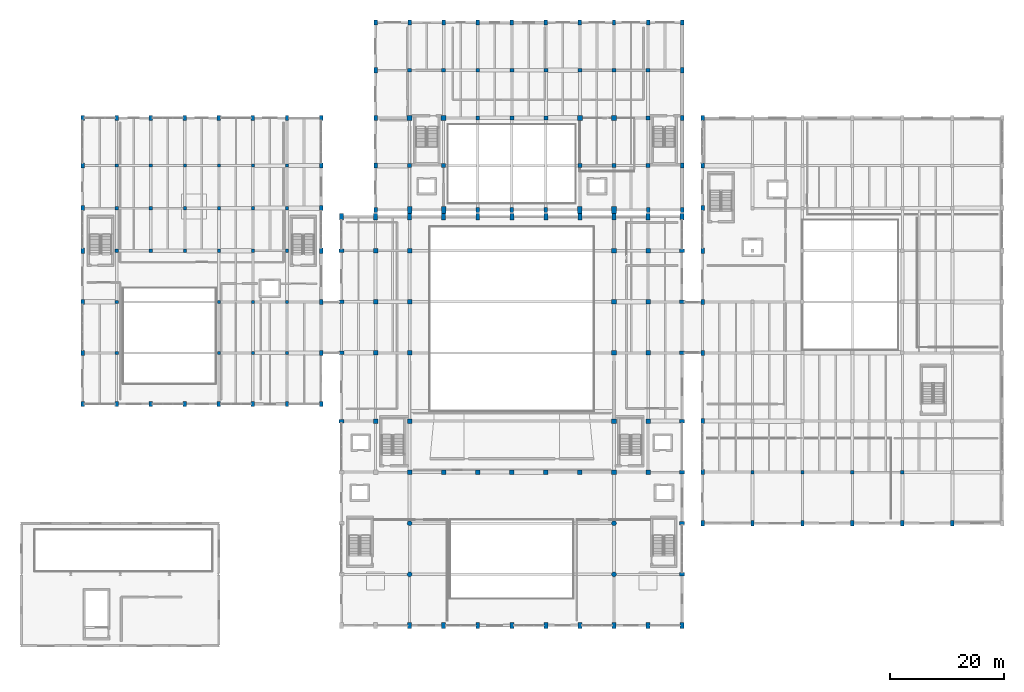
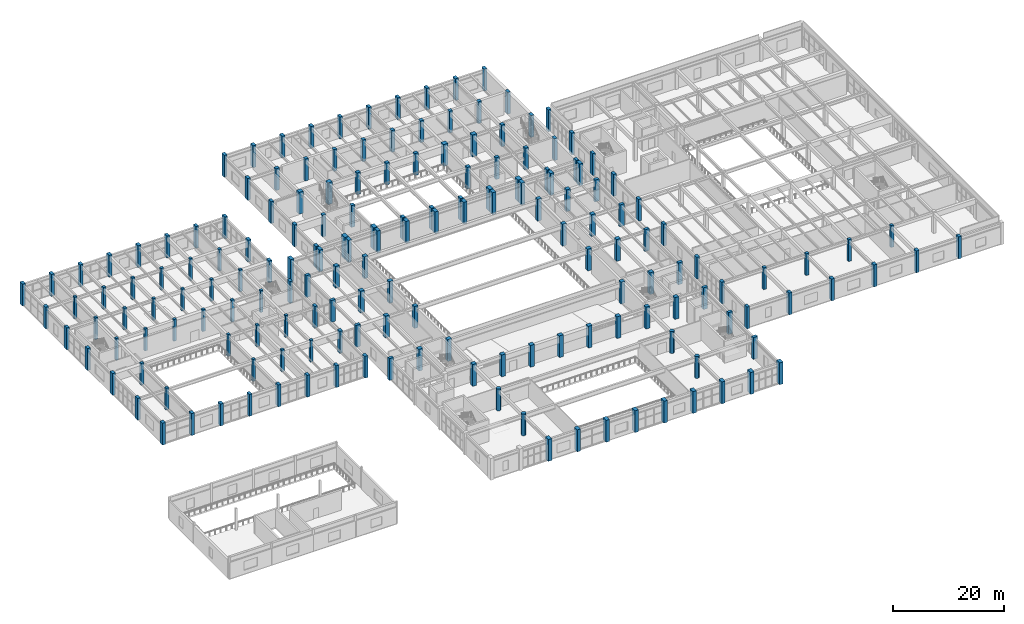
# One storey, part 3 of 96: 176 columns.
"""IFC4 building model written with IfcOpenShell, lengths in metres."""

from ifc_helpers import new_model, si_unit, direction, frame, origin, origin_2d, place, context, subcontext, project, spatial, rectangle, circle, extrude, material, material_profile, profile_set, type_object, element, save


model = new_model("IFC4")

# Units and contexts
model_context = context("Model", 3, precision=1e-05, world=origin(), true_north=direction((0.0, 1.0)))
body_context = subcontext(model_context, "Body", "Model", "MODEL_VIEW")
ifc_project = project(units=[si_unit("LENGTHUNIT", "METRE"), si_unit("AREAUNIT", "SQUARE_METRE"), si_unit("VOLUMEUNIT", "CUBIC_METRE"), si_unit("PLANEANGLEUNIT", "RADIAN"), si_unit("MASSUNIT", "GRAM", prefix="KILO")], contexts=[model_context])

# Site, building, storey
site_placement = place(None, origin())
site = spatial("IfcSite", under=ifc_project, at=site_placement, CompositionType="ELEMENT")
building_placement = place(site_placement, origin())
building = spatial("IfcBuilding", under=site, at=building_placement, Name="Vaelkrest Opera House", CompositionType="ELEMENT")
storey_placement = place(building_placement, frame((0.0, 0.0, 5.39990234375)))
storey = spatial("IfcBuildingStorey", under=building, at=storey_placement, Name="L01", CompositionType="ELEMENT", Elevation=5.39990234375)

# Columns
ifc_material = material(Name="Concrete C50/60", Category="concrete")
ifc_material_profile_1 = material_profile(ifc_material, rectangle(XDim=0.60009765625, YDim=0.60009765625, at=origin_2d()), Name="RC600X600")
ifc_profile_set_1 = profile_set([ifc_material_profile_1], Name="Concrete C50/60")
column_type_1 = type_object("IfcColumnType", Name="C02", PredefinedType="COLUMN", material=ifc_profile_set_1)
for number, where, z_axis, x_axis, name in (
    (1, (42.39990234375, -28.800048828125, 0.0), (0.0, 0.0, 1.0), (1.0, 0.0, 0.0), "Column COL-V4-L01-1252"),
    (2, (51.199951171875, -28.800048828125, 0.0), (0.0, 0.0, 1.0), (1.0, 0.0, 0.0), "Column COL-V4-L01-1261"),
    (3, (60.0, -28.800048828125, 0.0), (0.0, 0.0, 1.0), (1.0, 0.0, 0.0), "Column COL-V4-L01-1270"),
    (4, (68.800048828125, -28.800048828125, 0.0), (0.0, 0.0, 1.0), (1.0, 0.0, 0.0), "Column COL-V4-L01-1277"),
):
    element("IfcColumn", number, at=place(storey_placement, frame(where, z_axis=z_axis, x_axis=x_axis)), inside=storey, type_object=column_type_1, Name=name, PredefinedType="COLUMN", context=body_context, shape_type="SweptSolid", body=[
        extrude(rectangle(XDim=0.60009765625, YDim=0.60009765625, at=origin_2d()), origin(), (0.0, 0.0, 1.0), 4.800048828125),
    ])
ifc_material_profile_2 = material_profile(ifc_material, rectangle(XDim=0.699951171875, YDim=0.699951171875, at=origin_2d()), Name="RC700X700")
ifc_profile_set_2 = profile_set([ifc_material_profile_2], Name="Concrete C50/60")
column_type_2 = type_object("IfcColumnType", Name="C03", PredefinedType="COLUMN", material=ifc_profile_set_2)
for number, where, z_axis, x_axis, name in (
    (5, (-18.0, 25.199951171875, 0.0), (0.0, 0.0, 1.0), (1.0, 0.0, 0.0), "Column COL-V2-L01-0576"),
    (6, (-18.0, 42.0, 0.0), (0.0, 0.0, 1.0), (1.0, 0.0, 0.0), "Column COL-V2-L01-0578"),
    (7, (-12.0, 25.199951171875, 0.0), (0.0, 0.0, 1.0), (1.0, 0.0, 0.0), "Column COL-V2-L01-0581"),
    (8, (-12.0, 42.0, 0.0), (0.0, 0.0, 1.0), (1.0, 0.0, 0.0), "Column COL-V2-L01-0583"),
    (9, (-6.0, 33.60009765625, 0.0), (0.0, 0.0, 1.0), (1.0, 0.0, 0.0), "Column COL-V2-L01-0586"),
    (10, (-6.0, 42.0, 0.0), (0.0, 0.0, 1.0), (1.0, 0.0, 0.0), "Column COL-V2-L01-0587"),
    (11, (0.0, 33.60009765625, 0.0), (0.0, 0.0, 1.0), (1.0, 0.0, 0.0), "Column COL-V2-L01-0590"),
    (12, (0.0, 42.0, 0.0), (0.0, 0.0, 1.0), (1.0, 0.0, 0.0), "Column COL-V2-L01-0591"),
    (13, (6.0, 33.60009765625, 0.0), (0.0, 0.0, 1.0), (1.0, 0.0, 0.0), "Column COL-V2-L01-0594"),
    (14, (6.0, 42.0, 0.0), (0.0, 0.0, 1.0), (1.0, 0.0, 0.0), "Column COL-V2-L01-0595"),
    (15, (12.0, 25.199951171875, 0.0), (0.0, 0.0, 1.0), (1.0, 0.0, 0.0), "Column COL-V2-L01-0598"),
    (16, (12.0, 42.0, 0.0), (0.0, 0.0, 1.0), (1.0, 0.0, 0.0), "Column COL-V2-L01-0600"),
    (17, (18.0, 25.199951171875, 0.0), (0.0, 0.0, 1.0), (1.0, 0.0, 0.0), "Column COL-V2-L01-0603"),
    (18, (18.0, 42.0, 0.0), (0.0, 0.0, 1.0), (1.0, 0.0, 0.0), "Column COL-V2-L01-0605"),
    (19, (24.0, 25.199951171875, 0.0), (0.0, 0.0, 1.0), (1.0, 0.0, 0.0), "Column COL-V2-L01-0608"),
    (20, (24.0, 33.60009765625, 0.0), (0.0, 0.0, 1.0), (1.0, 0.0, 0.0), "Column COL-V2-L01-0609"),
    (21, (24.0, 42.0, 0.0), (0.0, 0.0, 1.0), (1.0, 0.0, 0.0), "Column COL-V2-L01-0610"),
):
    element("IfcColumn", number, at=place(storey_placement, frame(where, z_axis=z_axis, x_axis=x_axis)), inside=storey, type_object=column_type_2, Name=name, PredefinedType="COLUMN", context=body_context, shape_type="SweptSolid", body=[
        extrude(rectangle(XDim=0.699951171875, YDim=0.699951171875, at=origin_2d()), origin(), (0.0, 0.0, 1.0), 4.800048828125),
    ])
ifc_material_profile_3 = material_profile(ifc_material, rectangle(XDim=0.800048828125, YDim=0.800048828125, at=origin_2d()), Name="RC800X800")
ifc_profile_set_3 = profile_set([ifc_material_profile_3], Name="Concrete C50/60")
column_type_3 = type_object("IfcColumnType", Name="C04", PredefinedType="COLUMN", material=ifc_profile_set_3)
for number, where, z_axis, x_axis, name in (
    (22, (-24.0, -19.800048828125, 0.0), (0.0, 0.0, 1.0), (1.0, 0.0, 0.0), "Column COL-V1-L01-0150"),
    (23, (-24.0, -7.800048828125, 0.0), (0.0, 0.0, 1.0), (1.0, 0.0, 0.0), "Column COL-V1-L01-0151"),
    (24, (-24.0, 1.199951171875, 0.0), (0.0, 0.0, 1.0), (1.0, 0.0, 0.0), "Column COL-V1-L01-0152"),
    (25, (-24.0, 10.199951171875, 0.0), (0.0, 0.0, 1.0), (1.0, 0.0, 0.0), "Column COL-V1-L01-0153"),
    (26, (-18.0, -28.800048828125, 0.0), (0.0, 0.0, 1.0), (1.0, 0.0, 0.0), "Column COL-V1-L01-0158"),
    (27, (-18.0, -19.800048828125, 0.0), (0.0, 0.0, 1.0), (1.0, 0.0, 0.0), "Column COL-V1-L01-0159"),
    (28, (-18.0, -7.800048828125, 0.0), (0.0, 0.0, 1.0), (1.0, 0.0, 0.0), "Column COL-V1-L01-0160"),
    (29, (-18.0, 1.199951171875, 0.0), (0.0, 0.0, 1.0), (1.0, 0.0, 0.0), "Column COL-V1-L01-0161"),
    (30, (-18.0, 10.199951171875, 0.0), (0.0, 0.0, 1.0), (1.0, 0.0, 0.0), "Column COL-V1-L01-0162"),
    (31, (-12.0, -28.800048828125, 0.0), (0.0, 0.0, 1.0), (1.0, 0.0, 0.0), "Column COL-V1-L01-0165"),
    (32, (-6.0, -28.800048828125, 0.0), (0.0, 0.0, 1.0), (1.0, 0.0, 0.0), "Column COL-V1-L01-0168"),
    (33, (0.0, -28.800048828125, 0.0), (0.0, 0.0, 1.0), (1.0, 0.0, 0.0), "Column COL-V1-L01-0171"),
    (34, (6.0, -28.800048828125, 0.0), (0.0, 0.0, 1.0), (1.0, 0.0, 0.0), "Column COL-V1-L01-0174"),
    (35, (12.0, -28.800048828125, 0.0), (0.0, 0.0, 1.0), (1.0, 0.0, 0.0), "Column COL-V1-L01-0177"),
    (36, (18.0, -28.800048828125, 0.0), (0.0, 0.0, 1.0), (1.0, 0.0, 0.0), "Column COL-V1-L01-0182"),
    (37, (18.0, -19.800048828125, 0.0), (0.0, 0.0, 1.0), (1.0, 0.0, 0.0), "Column COL-V1-L01-0183"),
    (38, (18.0, -7.800048828125, 0.0), (0.0, 0.0, 1.0), (1.0, 0.0, 0.0), "Column COL-V1-L01-0184"),
    (39, (18.0, 1.199951171875, 0.0), (0.0, 0.0, 1.0), (1.0, 0.0, 0.0), "Column COL-V1-L01-0185"),
    (40, (18.0, 10.199951171875, 0.0), (0.0, 0.0, 1.0), (1.0, 0.0, 0.0), "Column COL-V1-L01-0186"),
    (41, (24.0, -28.800048828125, 0.0), (0.0, 0.0, 1.0), (1.0, 0.0, 0.0), "Column COL-V1-L01-0189"),
    (42, (24.0, -19.800048828125, 0.0), (0.0, 0.0, 1.0), (1.0, 0.0, 0.0), "Column COL-V1-L01-0190"),
    (43, (24.0, -7.800048828125, 0.0), (0.0, 0.0, 1.0), (1.0, 0.0, 0.0), "Column COL-V1-L01-0191"),
    (44, (24.0, 1.199951171875, 0.0), (0.0, 0.0, 1.0), (1.0, 0.0, 0.0), "Column COL-V1-L01-0192"),
    (45, (24.0, 10.199951171875, 0.0), (0.0, 0.0, 1.0), (1.0, 0.0, 0.0), "Column COL-V1-L01-0193"),
):
    element("IfcColumn", number, at=place(storey_placement, frame(where, z_axis=z_axis, x_axis=x_axis)), inside=storey, type_object=column_type_3, Name=name, PredefinedType="COLUMN", context=body_context, shape_type="SweptSolid", body=[
        extrude(rectangle(XDim=0.800048828125, YDim=0.800048828125, at=origin_2d()), origin(), (0.0, 0.0, 1.0), 4.800048828125),
    ])
ifc_material_profile_4 = material_profile(ifc_material, rectangle(XDim=0.89990234375, YDim=0.89990234375, at=origin_2d()), Name="RC900X900")
ifc_profile_set_4 = profile_set([ifc_material_profile_4], Name="Concrete C50/60")
column_type_4 = type_object("IfcColumnType", Name="C05", PredefinedType="COLUMN", material=ifc_profile_set_4)
for number, where, z_axis, x_axis, name in (
    (46, (-18.0, 33.60009765625, 0.0), (0.0, 0.0, 1.0), (1.0, 0.0, 0.0), "Column COL-V2-L01-0577"),
    (47, (-12.0, 33.60009765625, 0.0), (0.0, 0.0, 1.0), (1.0, 0.0, 0.0), "Column COL-V2-L01-0582"),
    (48, (12.0, 33.60009765625, 0.0), (0.0, 0.0, 1.0), (1.0, 0.0, 0.0), "Column COL-V2-L01-0599"),
    (49, (18.0, 33.60009765625, 0.0), (0.0, 0.0, 1.0), (1.0, 0.0, 0.0), "Column COL-V2-L01-0604"),
):
    element("IfcColumn", number, at=place(storey_placement, frame(where, z_axis=z_axis, x_axis=x_axis)), inside=storey, type_object=column_type_4, Name=name, PredefinedType="COLUMN", context=body_context, shape_type="SweptSolid", body=[
        extrude(rectangle(XDim=0.89990234375, YDim=0.89990234375, at=origin_2d()), origin(), (0.0, 0.0, 1.0), 4.800048828125),
    ])
ifc_material_profile_5 = material_profile(ifc_material, rectangle(XDim=0.60009765625, YDim=0.89990234375, at=origin_2d()), Name="RC600X900")
ifc_profile_set_5 = profile_set([ifc_material_profile_5], Name="Concrete C50/60")
column_type_5 = type_object("IfcColumnType", Name="C06", PredefinedType="COLUMN", material=ifc_profile_set_5)
for number, where, z_axis, x_axis, name in (
    (50, (-30.0, -19.800048828125, 0.0), (0.0, 0.0, 1.0), (0.0, 1.0, 0.0), "Column COL-V1-L01-0143"),
    (51, (-30.0, -7.800048828125, 0.0), (0.0, 0.0, 1.0), (0.0, 1.0, 0.0), "Column COL-V1-L01-0144"),
    (52, (-30.0, 1.199951171875, 0.0), (0.0, 0.0, 1.0), (0.0, 1.0, 0.0), "Column COL-V1-L01-0145"),
    (53, (-30.0, 10.199951171875, 0.0), (0.0, 0.0, 1.0), (0.0, 1.0, 0.0), "Column COL-V1-L01-0146"),
    (54, (30.0, -46.800048828125, 0.0), (0.0, 0.0, 1.0), (0.0, 1.0, 0.0), "Column COL-V1-L01-0196"),
    (55, (30.0, -37.800048828125, 0.0), (0.0, 0.0, 1.0), (0.0, 1.0, 0.0), "Column COL-V1-L01-0197"),
    (56, (30.0, -28.800048828125, 0.0), (0.0, 0.0, 1.0), (0.0, 1.0, 0.0), "Column COL-V1-L01-0198"),
    (57, (30.0, -19.800048828125, 0.0), (0.0, 0.0, 1.0), (0.0, 1.0, 0.0), "Column COL-V1-L01-0199"),
    (58, (30.0, -7.800048828125, 0.0), (0.0, 0.0, 1.0), (0.0, 1.0, 0.0), "Column COL-V1-L01-0200"),
    (59, (30.0, 1.199951171875, 0.0), (0.0, 0.0, 1.0), (0.0, 1.0, 0.0), "Column COL-V1-L01-0201"),
    (60, (30.0, 10.199951171875, 0.0), (0.0, 0.0, 1.0), (0.0, 1.0, 0.0), "Column COL-V1-L01-0202"),
    (61, (-24.0, 17.39990234375, 0.0), (0.0, 0.0, 1.0), (1.0, 0.0, 0.0), "Column COL-V2-L01-0570"),
    (62, (-24.0, 25.199951171875, 0.0), (0.0, 0.0, 1.0), (1.0, 0.0, 0.0), "Column COL-V2-L01-0571"),
    (63, (-24.0, 33.60009765625, 0.0), (0.0, 0.0, 1.0), (1.0, 0.0, 0.0), "Column COL-V2-L01-0572"),
    (64, (-24.0, 42.0, 0.0), (0.0, 0.0, 1.0), (1.0, 0.0, 0.0), "Column COL-V2-L01-0573"),
    (65, (-24.0, 50.39990234375, 0.0), (0.0, 0.0, 1.0), (1.0, 0.0, 0.0), "Column COL-V2-L01-0574"),
    (66, (-18.0, 50.39990234375, 0.0), (0.0, 0.0, 1.0), (1.0, 0.0, 0.0), "Column COL-V2-L01-0579"),
    (67, (-12.0, 50.39990234375, 0.0), (0.0, 0.0, 1.0), (1.0, 0.0, 0.0), "Column COL-V2-L01-0584"),
    (68, (-6.0, 17.39990234375, 0.0), (0.0, 0.0, 1.0), (1.0, 0.0, 0.0), "Column COL-V2-L01-0585"),
    (69, (-6.0, 50.39990234375, 0.0), (0.0, 0.0, 1.0), (1.0, 0.0, 0.0), "Column COL-V2-L01-0588"),
    (70, (0.0, 17.39990234375, 0.0), (0.0, 0.0, 1.0), (1.0, 0.0, 0.0), "Column COL-V2-L01-0589"),
    (71, (0.0, 50.39990234375, 0.0), (0.0, 0.0, 1.0), (1.0, 0.0, 0.0), "Column COL-V2-L01-0592"),
    (72, (6.0, 17.39990234375, 0.0), (0.0, 0.0, 1.0), (1.0, 0.0, 0.0), "Column COL-V2-L01-0593"),
    (73, (6.0, 50.39990234375, 0.0), (0.0, 0.0, 1.0), (1.0, 0.0, 0.0), "Column COL-V2-L01-0596"),
    (74, (12.0, 50.39990234375, 0.0), (0.0, 0.0, 1.0), (1.0, 0.0, 0.0), "Column COL-V2-L01-0601"),
    (75, (18.0, 50.39990234375, 0.0), (0.0, 0.0, 1.0), (1.0, 0.0, 0.0), "Column COL-V2-L01-0606"),
    (76, (24.0, 17.39990234375, 0.0), (0.0, 0.0, 1.0), (1.0, 0.0, 0.0), "Column COL-V2-L01-0607"),
    (77, (24.0, 50.39990234375, 0.0), (0.0, 0.0, 1.0), (1.0, 0.0, 0.0), "Column COL-V2-L01-0611"),
    (78, (30.0, 17.39990234375, 0.0), (0.0, 0.0, 1.0), (1.0, 0.0, 0.0), "Column COL-V2-L01-0612"),
    (79, (30.0, 25.199951171875, 0.0), (0.0, 0.0, 1.0), (1.0, 0.0, 0.0), "Column COL-V2-L01-0613"),
    (80, (30.0, 33.60009765625, 0.0), (0.0, 0.0, 1.0), (1.0, 0.0, 0.0), "Column COL-V2-L01-0614"),
    (81, (30.0, 42.0, 0.0), (0.0, 0.0, 1.0), (1.0, 0.0, 0.0), "Column COL-V2-L01-0615"),
    (82, (30.0, 50.39990234375, 0.0), (0.0, 0.0, 1.0), (1.0, 0.0, 0.0), "Column COL-V2-L01-0616"),
    (83, (-75.60009765625, -16.800048828125, 0.0), (0.0, 0.0, 1.0), (1.0, 0.0, 0.0), "Column COL-V3-L01-0944"),
    (84, (-75.60009765625, -7.800048828125, 0.0), (0.0, 0.0, 1.0), (1.0, 0.0, 0.0), "Column COL-V3-L01-0945"),
    (85, (-75.60009765625, 1.199951171875, 0.0), (0.0, 0.0, 1.0), (1.0, 0.0, 0.0), "Column COL-V3-L01-0946"),
    (86, (-75.60009765625, 10.199951171875, 0.0), (0.0, 0.0, 1.0), (1.0, 0.0, 0.0), "Column COL-V3-L01-0947"),
    (87, (-75.60009765625, 17.699951171875, 0.0), (0.0, 0.0, 1.0), (1.0, 0.0, 0.0), "Column COL-V3-L01-0948"),
    (88, (-75.60009765625, 25.199951171875, 0.0), (0.0, 0.0, 1.0), (1.0, 0.0, 0.0), "Column COL-V3-L01-0949"),
    (89, (-75.60009765625, 33.60009765625, 0.0), (0.0, 0.0, 1.0), (1.0, 0.0, 0.0), "Column COL-V3-L01-0950"),
    (90, (-69.60009765625, -16.800048828125, 0.0), (0.0, 0.0, 1.0), (1.0, 0.0, 0.0), "Column COL-V3-L01-0951"),
    (91, (-69.60009765625, 33.60009765625, 0.0), (0.0, 0.0, 1.0), (1.0, 0.0, 0.0), "Column COL-V3-L01-0957"),
    (92, (-63.60009765625, -16.800048828125, 0.0), (0.0, 0.0, 1.0), (1.0, 0.0, 0.0), "Column COL-V3-L01-0958"),
    (93, (-63.60009765625, 33.60009765625, 0.0), (0.0, 0.0, 1.0), (1.0, 0.0, 0.0), "Column COL-V3-L01-0962"),
    (94, (-57.60009765625, -16.800048828125, 0.0), (0.0, 0.0, 1.0), (1.0, 0.0, 0.0), "Column COL-V3-L01-0963"),
    (95, (-57.60009765625, 33.60009765625, 0.0), (0.0, 0.0, 1.0), (1.0, 0.0, 0.0), "Column COL-V3-L01-0967"),
    (96, (-51.60009765625, -16.800048828125, 0.0), (0.0, 0.0, 1.0), (1.0, 0.0, 0.0), "Column COL-V3-L01-0968"),
    (97, (-51.60009765625, 33.60009765625, 0.0), (0.0, 0.0, 1.0), (1.0, 0.0, 0.0), "Column COL-V3-L01-0974"),
    (98, (-45.60009765625, -16.800048828125, 0.0), (0.0, 0.0, 1.0), (1.0, 0.0, 0.0), "Column COL-V3-L01-0975"),
    (99, (-45.60009765625, 33.60009765625, 0.0), (0.0, 0.0, 1.0), (1.0, 0.0, 0.0), "Column COL-V3-L01-0981"),
    (100, (-39.60009765625, -16.800048828125, 0.0), (0.0, 0.0, 1.0), (1.0, 0.0, 0.0), "Column COL-V3-L01-0982"),
    (101, (-39.60009765625, 33.60009765625, 0.0), (0.0, 0.0, 1.0), (1.0, 0.0, 0.0), "Column COL-V3-L01-0988"),
    (102, (-33.60009765625, -16.800048828125, 0.0), (0.0, 0.0, 1.0), (1.0, 0.0, 0.0), "Column COL-V3-L01-0989"),
    (103, (-33.60009765625, -7.800048828125, 0.0), (0.0, 0.0, 1.0), (1.0, 0.0, 0.0), "Column COL-V3-L01-0990"),
    (104, (-33.60009765625, 1.199951171875, 0.0), (0.0, 0.0, 1.0), (1.0, 0.0, 0.0), "Column COL-V3-L01-0991"),
    (105, (-33.60009765625, 10.199951171875, 0.0), (0.0, 0.0, 1.0), (1.0, 0.0, 0.0), "Column COL-V3-L01-0992"),
    (106, (-33.60009765625, 17.699951171875, 0.0), (0.0, 0.0, 1.0), (1.0, 0.0, 0.0), "Column COL-V3-L01-0993"),
    (107, (-33.60009765625, 25.199951171875, 0.0), (0.0, 0.0, 1.0), (1.0, 0.0, 0.0), "Column COL-V3-L01-0994"),
    (108, (-33.60009765625, 33.60009765625, 0.0), (0.0, 0.0, 1.0), (1.0, 0.0, 0.0), "Column COL-V3-L01-0995"),
    (109, (33.60009765625, -37.800048828125, 0.0), (0.0, 0.0, 1.0), (1.0, 0.0, 0.0), "Column COL-V4-L01-1242"),
    (110, (33.60009765625, -28.800048828125, 0.0), (0.0, 0.0, 1.0), (1.0, 0.0, 0.0), "Column COL-V4-L01-1243"),
    (111, (33.60009765625, -19.800048828125, 0.0), (0.0, 0.0, 1.0), (1.0, 0.0, 0.0), "Column COL-V4-L01-1244"),
    (112, (33.60009765625, -7.800048828125, 0.0), (0.0, 0.0, 1.0), (1.0, 0.0, 0.0), "Column COL-V4-L01-1245"),
    (113, (33.60009765625, 1.199951171875, 0.0), (0.0, 0.0, 1.0), (1.0, 0.0, 0.0), "Column COL-V4-L01-1246"),
    (114, (33.60009765625, 10.199951171875, 0.0), (0.0, 0.0, 1.0), (1.0, 0.0, 0.0), "Column COL-V4-L01-1247"),
    (115, (33.60009765625, 17.699951171875, 0.0), (0.0, 0.0, 1.0), (1.0, 0.0, 0.0), "Column COL-V4-L01-1248"),
    (116, (33.60009765625, 25.199951171875, 0.0), (0.0, 0.0, 1.0), (1.0, 0.0, 0.0), "Column COL-V4-L01-1249"),
    (117, (33.60009765625, 33.60009765625, 0.0), (0.0, 0.0, 1.0), (1.0, 0.0, 0.0), "Column COL-V4-L01-1250"),
    (118, (42.39990234375, -37.800048828125, 0.0), (0.0, 0.0, 1.0), (1.0, 0.0, 0.0), "Column COL-V4-L01-1251"),
    (119, (51.199951171875, -37.800048828125, 0.0), (0.0, 0.0, 1.0), (1.0, 0.0, 0.0), "Column COL-V4-L01-1260"),
    (120, (60.0, -37.800048828125, 0.0), (0.0, 0.0, 1.0), (1.0, 0.0, 0.0), "Column COL-V4-L01-1269"),
    (121, (68.800048828125, -37.800048828125, 0.0), (0.0, 0.0, 1.0), (1.0, 0.0, 0.0), "Column COL-V4-L01-1276"),
    (122, (77.60009765625, -37.800048828125, 0.0), (0.0, 0.0, 1.0), (1.0, 0.0, 0.0), "Column COL-V4-L01-1285"),
):
    element("IfcColumn", number, at=place(storey_placement, frame(where, z_axis=z_axis, x_axis=x_axis)), inside=storey, type_object=column_type_5, Name=name, PredefinedType="COLUMN", context=body_context, shape_type="SweptSolid", body=[
        extrude(rectangle(XDim=0.60009765625, YDim=0.89990234375, at=origin_2d()), origin(), (0.0, 0.0, 1.0), 4.800048828125),
    ])
ifc_material_profile_6 = material_profile(ifc_material, rectangle(XDim=0.699951171875, YDim=1.10009765625, at=origin_2d()), Name="RC700X1100")
ifc_profile_set_6 = profile_set([ifc_material_profile_6], Name="Concrete C50/60")
column_type_6 = type_object("IfcColumnType", Name="C07", PredefinedType="COLUMN", material=ifc_profile_set_6)
for number, where, z_axis, x_axis, name in (
    (123, (-30.0, 16.199951171875, 0.0), (0.0, 0.0, 1.0), (1.0, 0.0, 0.0), "Column COL-V1-L01-0147"),
    (124, (-24.0, 16.199951171875, 0.0), (0.0, 0.0, 1.0), (1.0, 0.0, 0.0), "Column COL-V1-L01-0154"),
    (125, (-18.0, -55.800048828125, 0.0), (0.0, 0.0, 1.0), (1.0, 0.0, 0.0), "Column COL-V1-L01-0155"),
    (126, (-18.0, 16.199951171875, 0.0), (0.0, 0.0, 1.0), (1.0, 0.0, 0.0), "Column COL-V1-L01-0163"),
    (127, (-12.0, -55.800048828125, 0.0), (0.0, 0.0, 1.0), (1.0, 0.0, 0.0), "Column COL-V1-L01-0164"),
    (128, (-12.0, 16.199951171875, 0.0), (0.0, 0.0, 1.0), (1.0, 0.0, 0.0), "Column COL-V1-L01-0166"),
    (129, (-6.0, -55.800048828125, 0.0), (0.0, 0.0, 1.0), (1.0, 0.0, 0.0), "Column COL-V1-L01-0167"),
    (130, (-6.0, 16.199951171875, 0.0), (0.0, 0.0, 1.0), (1.0, 0.0, 0.0), "Column COL-V1-L01-0169"),
    (131, (0.0, -55.800048828125, 0.0), (0.0, 0.0, 1.0), (1.0, 0.0, 0.0), "Column COL-V1-L01-0170"),
    (132, (0.0, 16.199951171875, 0.0), (0.0, 0.0, 1.0), (1.0, 0.0, 0.0), "Column COL-V1-L01-0172"),
    (133, (6.0, -55.800048828125, 0.0), (0.0, 0.0, 1.0), (1.0, 0.0, 0.0), "Column COL-V1-L01-0173"),
    (134, (6.0, 16.199951171875, 0.0), (0.0, 0.0, 1.0), (1.0, 0.0, 0.0), "Column COL-V1-L01-0175"),
    (135, (12.0, -55.800048828125, 0.0), (0.0, 0.0, 1.0), (1.0, 0.0, 0.0), "Column COL-V1-L01-0176"),
    (136, (12.0, 16.199951171875, 0.0), (0.0, 0.0, 1.0), (1.0, 0.0, 0.0), "Column COL-V1-L01-0178"),
    (137, (18.0, -55.800048828125, 0.0), (0.0, 0.0, 1.0), (1.0, 0.0, 0.0), "Column COL-V1-L01-0179"),
    (138, (18.0, 16.199951171875, 0.0), (0.0, 0.0, 1.0), (1.0, 0.0, 0.0), "Column COL-V1-L01-0187"),
    (139, (24.0, -55.800048828125, 0.0), (0.0, 0.0, 1.0), (1.0, 0.0, 0.0), "Column COL-V1-L01-0188"),
    (140, (24.0, 16.199951171875, 0.0), (0.0, 0.0, 1.0), (1.0, 0.0, 0.0), "Column COL-V1-L01-0194"),
    (141, (30.0, -55.800048828125, 0.0), (0.0, 0.0, 1.0), (1.0, 0.0, 0.0), "Column COL-V1-L01-0195"),
    (142, (30.0, 16.199951171875, 0.0), (0.0, 0.0, 1.0), (1.0, 0.0, 0.0), "Column COL-V1-L01-0203"),
):
    element("IfcColumn", number, at=place(storey_placement, frame(where, z_axis=z_axis, x_axis=x_axis)), inside=storey, type_object=column_type_6, Name=name, PredefinedType="COLUMN", context=body_context, shape_type="SweptSolid", body=[
        extrude(rectangle(XDim=0.699951171875, YDim=1.10009765625, at=origin_2d()), origin(), (0.0, 0.0, 1.0), 4.800048828125),
    ])
ifc_material_profile_7 = material_profile(ifc_material, rectangle(XDim=0.800048828125, YDim=1.199951171875, at=origin_2d()), Name="RC800X1200")
ifc_profile_set_7 = profile_set([ifc_material_profile_7], Name="Concrete C50/60")
column_type_7 = type_object("IfcColumnType", Name="C08", PredefinedType="COLUMN", material=ifc_profile_set_7)
for number, where, z_axis, x_axis, name in (
    (143, (-18.0, 17.39990234375, 0.0), (0.0, 0.0, 1.0), (1.0, 0.0, 0.0), "Column COL-V2-L01-0575"),
    (144, (-12.0, 17.39990234375, 0.0), (0.0, 0.0, 1.0), (1.0, 0.0, 0.0), "Column COL-V2-L01-0580"),
    (145, (12.0, 17.39990234375, 0.0), (0.0, 0.0, 1.0), (1.0, 0.0, 0.0), "Column COL-V2-L01-0597"),
    (146, (18.0, 17.39990234375, 0.0), (0.0, 0.0, 1.0), (1.0, 0.0, 0.0), "Column COL-V2-L01-0602"),
):
    element("IfcColumn", number, at=place(storey_placement, frame(where, z_axis=z_axis, x_axis=x_axis)), inside=storey, type_object=column_type_7, Name=name, PredefinedType="COLUMN", context=body_context, shape_type="SweptSolid", body=[
        extrude(rectangle(XDim=0.800048828125, YDim=1.199951171875, at=origin_2d()), origin(), (0.0, 0.0, 1.0), 4.800048828125),
    ])
ifc_material_profile_8 = material_profile(ifc_material, circle(Radius=0.425048828125, at=origin_2d()), Name="RCD850")
ifc_profile_set_8 = profile_set([ifc_material_profile_8], Name="Concrete C50/60")
column_type_8 = type_object("IfcColumnType", Name="C10", PredefinedType="COLUMN", material=ifc_profile_set_8)
for number, where, z_axis, x_axis, name in (
    (147, (-18.0, -46.800048828125, 0.0), (0.0, 0.0, 1.0), (1.0, 0.0, 0.0), "Column COL-V1-L01-0156"),
    (148, (-18.0, -37.800048828125, 0.0), (0.0, 0.0, 1.0), (1.0, 0.0, 0.0), "Column COL-V1-L01-0157"),
    (149, (18.0, -46.800048828125, 0.0), (0.0, 0.0, 1.0), (1.0, 0.0, 0.0), "Column COL-V1-L01-0180"),
    (150, (18.0, -37.800048828125, 0.0), (0.0, 0.0, 1.0), (1.0, 0.0, 0.0), "Column COL-V1-L01-0181"),
):
    element("IfcColumn", number, at=place(storey_placement, frame(where, z_axis=z_axis, x_axis=x_axis)), inside=storey, type_object=column_type_8, Name=name, PredefinedType="COLUMN", context=body_context, shape_type="SweptSolid", body=[
        extrude(circle(Radius=0.425048828125, at=origin_2d()), origin(), (0.0, 0.0, 1.0), 4.800048828125),
    ])
ifc_material_profile_9 = material_profile(ifc_material, rectangle(XDim=0.550048828125, YDim=0.550048828125, at=origin_2d()), Name="RC550X550")
ifc_profile_set_9 = profile_set([ifc_material_profile_9], Name="Concrete C50/60")
column_type_9 = type_object("IfcColumnType", Name="C13", PredefinedType="COLUMN", material=ifc_profile_set_9)
for number, where, z_axis, x_axis, name in (
    (151, (-69.60009765625, -7.800048828125, 0.0), (0.0, 0.0, 1.0), (1.0, 0.0, 0.0), "Column COL-V3-L01-0952"),
    (152, (-69.60009765625, 1.199951171875, 0.0), (0.0, 0.0, 1.0), (1.0, 0.0, 0.0), "Column COL-V3-L01-0953"),
    (153, (-69.60009765625, 10.199951171875, 0.0), (0.0, 0.0, 1.0), (1.0, 0.0, 0.0), "Column COL-V3-L01-0954"),
    (154, (-69.60009765625, 17.699951171875, 0.0), (0.0, 0.0, 1.0), (1.0, 0.0, 0.0), "Column COL-V3-L01-0955"),
    (155, (-69.60009765625, 25.199951171875, 0.0), (0.0, 0.0, 1.0), (1.0, 0.0, 0.0), "Column COL-V3-L01-0956"),
    (156, (-63.60009765625, 10.199951171875, 0.0), (0.0, 0.0, 1.0), (1.0, 0.0, 0.0), "Column COL-V3-L01-0959"),
    (157, (-63.60009765625, 17.699951171875, 0.0), (0.0, 0.0, 1.0), (1.0, 0.0, 0.0), "Column COL-V3-L01-0960"),
    (158, (-63.60009765625, 25.199951171875, 0.0), (0.0, 0.0, 1.0), (1.0, 0.0, 0.0), "Column COL-V3-L01-0961"),
    (159, (-57.60009765625, 10.199951171875, 0.0), (0.0, 0.0, 1.0), (1.0, 0.0, 0.0), "Column COL-V3-L01-0964"),
    (160, (-57.60009765625, 17.699951171875, 0.0), (0.0, 0.0, 1.0), (1.0, 0.0, 0.0), "Column COL-V3-L01-0965"),
    (161, (-57.60009765625, 25.199951171875, 0.0), (0.0, 0.0, 1.0), (1.0, 0.0, 0.0), "Column COL-V3-L01-0966"),
    (162, (-51.60009765625, -7.800048828125, 0.0), (0.0, 0.0, 1.0), (1.0, 0.0, 0.0), "Column COL-V3-L01-0969"),
    (163, (-51.60009765625, 1.199951171875, 0.0), (0.0, 0.0, 1.0), (1.0, 0.0, 0.0), "Column COL-V3-L01-0970"),
    (164, (-51.60009765625, 10.199951171875, 0.0), (0.0, 0.0, 1.0), (1.0, 0.0, 0.0), "Column COL-V3-L01-0971"),
    (165, (-51.60009765625, 17.699951171875, 0.0), (0.0, 0.0, 1.0), (1.0, 0.0, 0.0), "Column COL-V3-L01-0972"),
    (166, (-51.60009765625, 25.199951171875, 0.0), (0.0, 0.0, 1.0), (1.0, 0.0, 0.0), "Column COL-V3-L01-0973"),
    (167, (-45.60009765625, -7.800048828125, 0.0), (0.0, 0.0, 1.0), (1.0, 0.0, 0.0), "Column COL-V3-L01-0976"),
    (168, (-45.60009765625, 1.199951171875, 0.0), (0.0, 0.0, 1.0), (1.0, 0.0, 0.0), "Column COL-V3-L01-0977"),
    (169, (-45.60009765625, 10.199951171875, 0.0), (0.0, 0.0, 1.0), (1.0, 0.0, 0.0), "Column COL-V3-L01-0978"),
    (170, (-45.60009765625, 17.699951171875, 0.0), (0.0, 0.0, 1.0), (1.0, 0.0, 0.0), "Column COL-V3-L01-0979"),
    (171, (-45.60009765625, 25.199951171875, 0.0), (0.0, 0.0, 1.0), (1.0, 0.0, 0.0), "Column COL-V3-L01-0980"),
    (172, (-39.60009765625, -7.800048828125, 0.0), (0.0, 0.0, 1.0), (1.0, 0.0, 0.0), "Column COL-V3-L01-0983"),
    (173, (-39.60009765625, 1.199951171875, 0.0), (0.0, 0.0, 1.0), (1.0, 0.0, 0.0), "Column COL-V3-L01-0984"),
    (174, (-39.60009765625, 10.199951171875, 0.0), (0.0, 0.0, 1.0), (1.0, 0.0, 0.0), "Column COL-V3-L01-0985"),
    (175, (-39.60009765625, 17.699951171875, 0.0), (0.0, 0.0, 1.0), (1.0, 0.0, 0.0), "Column COL-V3-L01-0986"),
    (176, (-39.60009765625, 25.199951171875, 0.0), (0.0, 0.0, 1.0), (1.0, 0.0, 0.0), "Column COL-V3-L01-0987"),
):
    element("IfcColumn", number, at=place(storey_placement, frame(where, z_axis=z_axis, x_axis=x_axis)), inside=storey, type_object=column_type_9, Name=name, PredefinedType="COLUMN", context=body_context, shape_type="SweptSolid", body=[
        extrude(rectangle(XDim=0.550048828125, YDim=0.550048828125, at=origin_2d()), origin(), (0.0, 0.0, 1.0), 4.800048828125),
    ])

save(model, "model.ifc")
